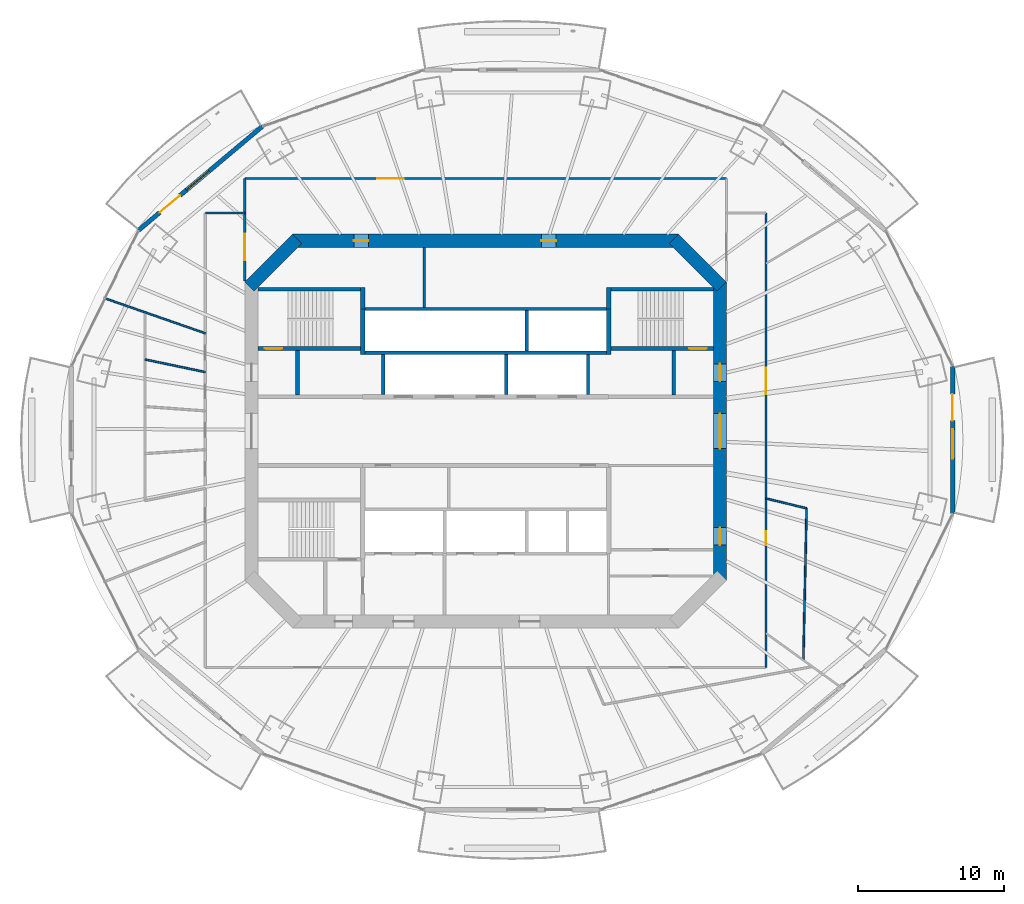
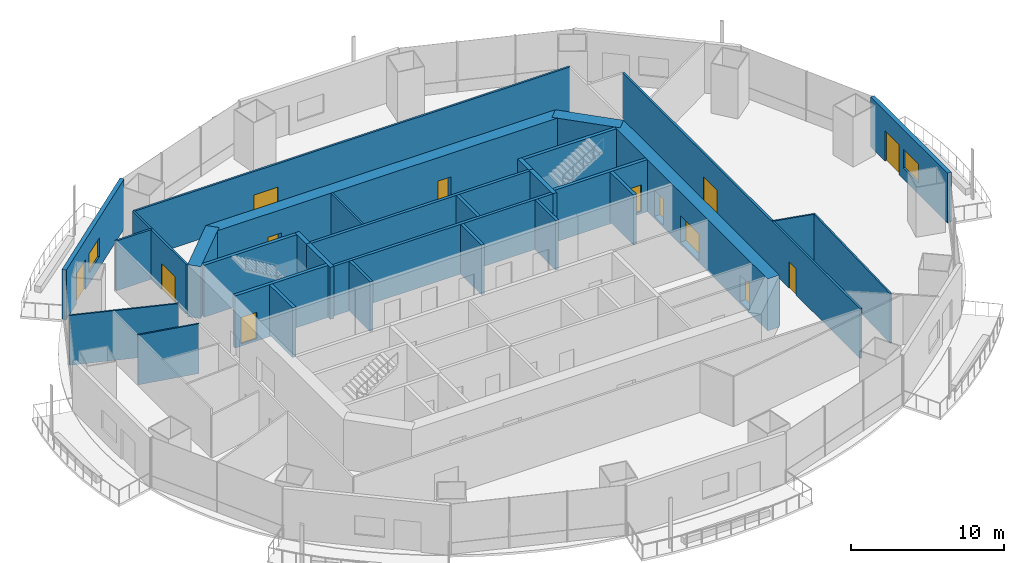
# One storey, part 12 of 19: 31 walls, 13 doors, 2 windows, 15 openings.
"""IFC4 building model written with IfcOpenShell, lengths in metres."""

from ifc_helpers import new_model, si_unit, direction, frame, frame_2d, origin, place, context, subcontext, project, spatial, rectangle, extrude, material, layer, layer_set, type_object, element, fill, save


model = new_model("IFC4")

# Units and contexts
model_context = context("Model", 3, precision=1e-05, world=origin(), true_north=direction((0.0, 1.0)))
body_context = subcontext(model_context, "Body", "Model", "MODEL_VIEW")
ifc_project = project(units=[si_unit("LENGTHUNIT", "METRE"), si_unit("AREAUNIT", "SQUARE_METRE"), si_unit("VOLUMEUNIT", "CUBIC_METRE"), si_unit("PLANEANGLEUNIT", "RADIAN"), si_unit("MASSUNIT", "GRAM", prefix="KILO")], contexts=[model_context])

# Site, building, storey
site_placement = place(None, origin())
site = spatial("IfcSite", under=ifc_project, at=site_placement, CompositionType="ELEMENT")
building_placement = place(site_placement, origin())
building = spatial("IfcBuilding", under=site, at=building_placement, Name="Marenthal Gate Tower", CompositionType="ELEMENT")
storey_placement = place(building_placement, frame((0.0, 0.0, 231.60009765625)))
storey = spatial("IfcBuildingStorey", under=building, at=storey_placement, Name="L51", CompositionType="ELEMENT", Elevation=231.60009765625)

# Wall, openings, doors
ifc_material_1 = material(Name="Concrete 60 MPa", Category="concrete")
ifc_layer_1 = layer(ifc_material_1, 0.89990234375)
ifc_layer_set_1 = layer_set([ifc_layer_1], Name="Core shear wall 900")
wall_type_1 = type_object("IfcWallType", Name="Core shear wall 900", PredefinedType="SHEAR", material=ifc_layer_set_1)
wall_1_placement = place(storey_placement, frame((16.0, -10.186279296875, -0.18017578125), z_axis=(0.0, 0.0, 1.0), x_axis=(0.0, 1.0, 0.0)))
wall_1 = element("IfcWall", 1, at=wall_1_placement, inside=storey, type_object=wall_type_1, Name="Core wall 02", PredefinedType="SHEAR", context=body_context, shape_type="SweptSolid", body=[
    extrude(rectangle(XDim=20.37255859375, YDim=0.89990234375, at=frame_2d((10.186279296875, 0.0))), origin(), (0.0, 0.0, 1.0), 4.150146484375),
])
opening_1_placement = place(wall_1_placement, frame((8.986328125, 0.0, 0.179931640625)))
opening_1 = element("IfcOpeningElement", 2, at=opening_1_placement, cuts=wall_1, Name="Opening D003.02", PredefinedType="OPENING", context=body_context, shape_type="SweptSolid", body=[
    extrude(rectangle(XDim=2.39990234375, YDim=2.10009765625, at=frame_2d((1.199951171875, 1.050048828125))), frame((0.0, 0.4599609375, 0.0), z_axis=(0.0, -1.0, 0.0), x_axis=(1.0, 0.0, 0.0)), (0.0, 0.0, 1.0), 0.919921875),
])
opening_2_placement = place(wall_1_placement, frame((13.58642578125, 0.0, 0.179931640625)))
opening_2 = element("IfcOpeningElement", 3, at=opening_2_placement, cuts=wall_1, Name="Opening D001.05", PredefinedType="OPENING", context=body_context, shape_type="SweptSolid", body=[
    extrude(rectangle(XDim=1.199951171875, YDim=2.10009765625, at=frame_2d((0.60009765625, 1.050048828125))), frame((0.0, 0.4599609375, 0.0), z_axis=(0.0, -1.0, 0.0), x_axis=(1.0, 0.0, 0.0)), (0.0, 0.0, 1.0), 0.919921875),
])
opening_3_placement = place(wall_1_placement, frame((2.39990234375, 0.0, 0.179931640625)))
opening_3 = element("IfcOpeningElement", 4, at=opening_3_placement, cuts=wall_1, Name="Opening D006.01", PredefinedType="OPENING", context=body_context, shape_type="SweptSolid", body=[
    extrude(rectangle(XDim=1.199951171875, YDim=2.10009765625, at=frame_2d((0.60009765625, 1.050048828125))), frame((0.0, 0.4599609375, 0.0), z_axis=(0.0, -1.0, 0.0), x_axis=(1.0, 0.0, 0.0)), (0.0, 0.0, 1.0), 0.919921875),
])
ifc_material_2 = material(Name="Steel fire door", Category="steel")
door_type_1 = type_object("IfcDoorType", Name="Double fire door FD 45 2400 x 2100", OperationType="DOUBLE_DOOR_SINGLE_SWING", PredefinedType="DOOR", material=ifc_material_2)
door_1_placement = place(opening_1_placement, origin())
door_1 = element("IfcDoor", 5, at=door_1_placement, inside=storey, type_object=door_type_1, Name="Door D003.02", OperationType="DOUBLE_DOOR_SINGLE_SWING", OverallHeight=2.10009765625, OverallWidth=2.39990234375, PredefinedType="DOOR", context=body_context, shape_type="SweptSolid", body=[
    extrude(rectangle(XDim=2.39990234375, YDim=2.10009765625, at=frame_2d((1.199951171875, 1.050048828125))), frame((0.0, 0.02490234375, 0.0), z_axis=(0.0, -1.0, 0.0), x_axis=(1.0, 0.0, 0.0)), (0.0, 0.0, 1.0), 0.050048828125),
])
fill(opening_1, door_1)
ifc_material_3 = material(Name="Steel fire door", Category="steel")
door_type_2 = type_object("IfcDoorType", Name="Fire door FD 45 1200 x 2100", OperationType="NOTDEFINED", PredefinedType="DOOR", material=ifc_material_3)
door_2_placement = place(opening_3_placement, origin())
door_2 = element("IfcDoor", 6, at=door_2_placement, inside=storey, type_object=door_type_2, Name="Door D006.01", OperationType="SINGLE_SWING_RIGHT", OverallHeight=2.10009765625, OverallWidth=1.199951171875, PredefinedType="DOOR", context=body_context, shape_type="SweptSolid", body=[
    extrude(rectangle(XDim=1.199951171875, YDim=2.10009765625, at=frame_2d((0.60009765625, 1.050048828125))), frame((0.0, 0.02490234375, 0.0), z_axis=(0.0, -1.0, 0.0), x_axis=(1.0, 0.0, 0.0)), (0.0, 0.0, 1.0), 0.050048828125),
])
fill(opening_3, door_2)
ifc_material_4 = material(Name="Steel fire door", Category="steel")
door_type_3 = type_object("IfcDoorType", Name="Fire door FD 90 1200 x 2100", OperationType="NOTDEFINED", PredefinedType="DOOR", material=ifc_material_4)
door_3_placement = place(opening_2_placement, origin())
door_3 = element("IfcDoor", 7, at=door_3_placement, inside=storey, type_object=door_type_3, Name="Door D001.05", OperationType="SINGLE_SWING_RIGHT", OverallHeight=2.10009765625, OverallWidth=1.199951171875, PredefinedType="DOOR", context=body_context, shape_type="SweptSolid", body=[
    extrude(rectangle(XDim=1.199951171875, YDim=2.10009765625, at=frame_2d((0.60009765625, 1.050048828125))), frame((0.0, 0.02490234375, 0.0), z_axis=(0.0, -1.0, 0.0), x_axis=(1.0, 0.0, 0.0)), (0.0, 0.0, 1.0), 0.050048828125),
])
fill(opening_2, door_3)

# Wall
wall_2_placement = place(storey_placement, frame((16.1318359375, 9.8681640625, -0.18017578125), z_axis=(0.0, 0.0, 1.0), x_axis=(-0.707106781187, 0.707106781187, 0.0)))
element("IfcWall", 8, at=wall_2_placement, inside=storey, type_object=wall_type_1, Name="Core wall 03", PredefinedType="SHEAR", context=body_context, shape_type="SweptSolid", body=[
    extrude(rectangle(XDim=4.615478515625, YDim=0.89990234375, at=frame_2d((2.3076171875, 0.0))), origin(), (0.0, 0.0, 1.0), 4.150146484375),
])

# Wall, openings, doors
wall_3_placement = place(storey_placement, frame((13.186279296875, 13.0, -0.18017578125), z_axis=(0.0, 0.0, 1.0), x_axis=(-1.0, 0.0, 0.0)))
wall_3 = element("IfcWall", 9, at=wall_3_placement, inside=storey, type_object=wall_type_1, Name="Core wall 04", PredefinedType="SHEAR", context=body_context, shape_type="SweptSolid", body=[
    extrude(rectangle(XDim=26.37255859375, YDim=0.89990234375, at=frame_2d((13.186279296875, 0.0))), origin(), (0.0, 0.0, 1.0), 4.150146484375),
])
opening_4_placement = place(wall_3_placement, frame((21.193359375, 0.0, 0.179931640625)))
opening_4 = element("IfcOpeningElement", 10, at=opening_4_placement, cuts=wall_3, Name="Opening D005.03", PredefinedType="OPENING", context=body_context, shape_type="SweptSolid", body=[
    extrude(rectangle(XDim=1.0, YDim=2.10009765625, at=frame_2d((0.5, 1.050048828125))), frame((0.0, 0.4599609375, 0.0), z_axis=(0.0, -1.0, 0.0), x_axis=(1.0, 0.0, 0.0)), (0.0, 0.0, 1.0), 0.919921875),
])
opening_5_placement = place(wall_3_placement, frame((8.37939453125, 0.0, 0.179931640625)))
opening_5 = element("IfcOpeningElement", 11, at=opening_5_placement, cuts=wall_3, Name="Opening D005.04", PredefinedType="OPENING", context=body_context, shape_type="SweptSolid", body=[
    extrude(rectangle(XDim=1.0, YDim=2.10009765625, at=frame_2d((0.5, 1.050048828125))), frame((0.0, 0.4599609375, 0.0), z_axis=(0.0, -1.0, 0.0), x_axis=(1.0, 0.0, 0.0)), (0.0, 0.0, 1.0), 0.919921875),
])
ifc_material_5 = material(Name="Steel fire door", Category="steel")
door_type_4 = type_object("IfcDoorType", Name="Fire door FD 45 1000 x 2100", OperationType="NOTDEFINED", PredefinedType="DOOR", material=ifc_material_5)
door_4_placement = place(opening_4_placement, origin())
door_4 = element("IfcDoor", 12, at=door_4_placement, inside=storey, type_object=door_type_4, Name="Door D005.03", OperationType="SINGLE_SWING_RIGHT", OverallHeight=2.10009765625, OverallWidth=1.0, PredefinedType="DOOR", context=body_context, shape_type="SweptSolid", body=[
    extrude(rectangle(XDim=1.0, YDim=2.10009765625, at=frame_2d((0.5, 1.050048828125))), frame((0.0, 0.02490234375, 0.0), z_axis=(0.0, -1.0, 0.0), x_axis=(1.0, 0.0, 0.0)), (0.0, 0.0, 1.0), 0.050048828125),
])
fill(opening_4, door_4)
door_5_placement = place(opening_5_placement, origin())
door_5 = element("IfcDoor", 13, at=door_5_placement, inside=storey, type_object=door_type_4, Name="Door D005.04", OperationType="SINGLE_SWING_RIGHT", OverallHeight=2.10009765625, OverallWidth=1.0, PredefinedType="DOOR", context=body_context, shape_type="SweptSolid", body=[
    extrude(rectangle(XDim=1.0, YDim=2.10009765625, at=frame_2d((0.5, 1.050048828125))), frame((0.0, 0.02490234375, 0.0), z_axis=(0.0, -1.0, 0.0), x_axis=(1.0, 0.0, 0.0)), (0.0, 0.0, 1.0), 0.050048828125),
])
fill(opening_5, door_5)

# Walls
wall_4_placement = place(storey_placement, frame((-12.8681640625, 13.1318359375, -0.18017578125), z_axis=(0.0, 0.0, 1.0), x_axis=(-0.707106781187, -0.707106781187, 0.0)))
element("IfcWall", 14, at=wall_4_placement, inside=storey, type_object=wall_type_1, Name="Core wall 05", PredefinedType="SHEAR", context=body_context, shape_type="SweptSolid", body=[
    extrude(rectangle(XDim=4.615478515625, YDim=0.89990234375, at=frame_2d((2.3076171875, 0.0))), origin(), (0.0, 0.0, 1.0), 4.150146484375),
])
ifc_material_6 = material(Name="Concrete 50 MPa", Category="concrete")
ifc_layer_2 = layer(ifc_material_6, 0.300048828125)
ifc_layer_set_2 = layer_set([ifc_layer_2], Name="Hoistway shear wall 300")
wall_type_2 = type_object("IfcWallType", Name="Hoistway shear wall 300", PredefinedType="SHEAR", material=ifc_layer_set_2)
for number, where, z_axis, x_axis, name in (
    (15, (-8.39990234375, 5.239990234375, -0.18017578125), (0.0, 0.0, 1.0), (0.0, 1.0, 0.0), "Hoistway wall 32"),
    (16, (8.39990234375, 5.239990234375, -0.18017578125), (0.0, 0.0, 1.0), (0.0, 1.0, 0.0), "Hoistway wall 46"),
):
    element("IfcWall", number, at=place(storey_placement, frame(where, z_axis=z_axis, x_axis=x_axis)), inside=storey, type_object=wall_type_2, Name=name, PredefinedType="SHEAR", context=body_context, shape_type="SweptSolid", body=[
        extrude(rectangle(XDim=3.110107421875, YDim=0.300048828125, at=frame_2d((1.55517578125, 0.0))), origin(), (0.0, 0.0, 1.0), 4.150146484375),
    ])
ifc_material_7 = material(Name="Concrete 40 MPa", Category="concrete")
ifc_layer_3 = layer(ifc_material_7, 0.219970703125)
ifc_layer_set_3 = layer_set([ifc_layer_3], Name="Hoistway wall 220")
wall_type_3 = type_object("IfcWallType", Name="Hoistway wall 220", PredefinedType="STANDARD", material=ifc_layer_set_3)
for number, where, z_axis, x_axis, name in (
    (17, (-8.25, 5.35009765625, 0.0), (0.0, 0.0, 1.0), (1.0, 0.0, 0.0), "Hoistway wall 22"),
    (18, (-8.25, 8.35009765625, 0.0), (0.0, 0.0, 1.0), (1.0, 0.0, 0.0), "Hoistway wall 25"),
):
    element("IfcWall", number, at=place(storey_placement, frame(where, z_axis=z_axis, x_axis=x_axis)), inside=storey, type_object=wall_type_3, Name=name, PredefinedType="STANDARD", context=body_context, shape_type="SweptSolid", body=[
        extrude(rectangle(XDim=16.5, YDim=0.219970703125, at=frame_2d((8.25, 0.0))), origin(), (0.0, 0.0, 1.0), 3.969970703125),
    ])
for number, where, z_axis, x_axis, name in (
    (19, (-7.0, 2.5, 0.0), (0.0, 0.0, 1.0), (0.0, 1.0, 0.0), "Hoistway wall 34"),
    (20, (1.39990234375, 2.5, 0.0), (0.0, 0.0, 1.0), (0.0, 1.0, 0.0), "Hoistway wall 39"),
):
    element("IfcWall", number, at=place(storey_placement, frame(where, z_axis=z_axis, x_axis=x_axis)), inside=storey, type_object=wall_type_3, Name=name, PredefinedType="STANDARD", context=body_context, shape_type="SweptSolid", body=[
        extrude(rectangle(XDim=2.739990234375, YDim=0.219970703125, at=frame_2d((1.3701171875, 0.0))), origin(), (0.0, 0.0, 1.0), 3.969970703125),
    ])
wall_5_placement = place(storey_placement, frame((2.800048828125, 5.4599609375, 0.0), z_axis=(0.0, 0.0, 1.0), x_axis=(0.0, 1.0, 0.0)))
element("IfcWall", 21, at=wall_5_placement, inside=storey, type_object=wall_type_3, Name="Hoistway wall 41", PredefinedType="STANDARD", context=body_context, shape_type="SweptSolid", body=[
    extrude(rectangle(XDim=2.780029296875, YDim=0.219970703125, at=frame_2d((1.39013671875, 0.0))), origin(), (0.0, 0.0, 1.0), 3.969970703125),
])
wall_6_placement = place(storey_placement, frame((7.0, 2.5, 0.0), z_axis=(0.0, 0.0, 1.0), x_axis=(0.0, 1.0, 0.0)))
element("IfcWall", 22, at=wall_6_placement, inside=storey, type_object=wall_type_3, Name="Hoistway wall 43", PredefinedType="STANDARD", context=body_context, shape_type="SweptSolid", body=[
    extrude(rectangle(XDim=2.739990234375, YDim=0.219970703125, at=frame_2d((1.3701171875, 0.0))), origin(), (0.0, 0.0, 1.0), 3.969970703125),
])
ifc_material_8 = material(Name="Gypsum board on steel studs", Category="steel")
ifc_layer_4 = layer(ifc_material_8, 0.1201171875)
ifc_layer_set_4 = layer_set([ifc_layer_4], Name="Partition 120")
wall_type_4 = type_object("IfcWallType", Name="Partition 120", PredefinedType="PARTITIONING", material=ifc_layer_set_4)
wall_7_placement = place(storey_placement, frame((-23.264404296875, 4.8974609375, 0.0), z_axis=(0.0, 0.0, 1.0), x_axis=(0.978549784987, -0.20601048105, 0.0)))
element("IfcWall", 23, at=wall_7_placement, inside=storey, type_object=wall_type_4, Name="Partition wall 52", PredefinedType="PARTITIONING", context=body_context, shape_type="SweptSolid", body=[
    extrude(rectangle(XDim=4.20458984375, YDim=0.1201171875, at=frame_2d((2.102294921875, 0.0))), origin(), (0.0, 0.0, 1.0), 3.969970703125),
])
wall_8_placement = place(storey_placement, frame((-19.14990234375, 6.678955078125, 0.0), z_axis=(0.0, 0.0, 1.0), x_axis=(-0.944229354423, 0.329288515205, 0.0)))
element("IfcWall", 24, at=wall_8_placement, inside=storey, type_object=wall_type_4, Name="Partition wall 56", PredefinedType="PARTITIONING", context=body_context, shape_type="SweptSolid", body=[
    extrude(rectangle(XDim=7.26220703125, YDim=0.1201171875, at=frame_2d((3.631103515625, 0.0))), origin(), (0.0, 0.0, 1.0), 3.969970703125),
])
wall_9_placement = place(storey_placement, frame((21.701416015625, -15.646728515625, 0.0), z_axis=(0.0, 0.0, 1.0), x_axis=(0.021402327954, 0.999770943946, 0.0)))
element("IfcWall", 25, at=wall_9_placement, inside=storey, type_object=wall_type_4, Name="Partition wall 68", PredefinedType="PARTITIONING", context=body_context, shape_type="SweptSolid", body=[
    extrude(rectangle(XDim=10.380615234375, YDim=0.1201171875, at=frame_2d((5.1904296875, 0.0))), origin(), (0.0, 0.0, 1.0), 3.969970703125),
])
wall_10_placement = place(storey_placement, frame((21.923583984375, -5.2685546875, 0.0), z_axis=(0.0, 0.0, 1.0), x_axis=(-0.972322007638, 0.233644844719, 0.0)))
element("IfcWall", 26, at=wall_10_placement, inside=storey, type_object=wall_type_4, Name="Partition wall 69", PredefinedType="PARTITIONING", context=body_context, shape_type="SweptSolid", body=[
    extrude(rectangle(XDim=2.8525390625, YDim=0.1201171875, at=frame_2d((1.42626953125, 0.0))), origin(), (0.0, 0.0, 1.0), 3.969970703125),
])
ifc_material_9 = material(Name="Gypsum board on steel studs", Category="steel")
ifc_layer_5 = layer(ifc_material_9, 0.14990234375)
ifc_layer_set_5 = layer_set([ifc_layer_5], Name="Partition 150")
wall_type_5 = type_object("IfcWallType", Name="Partition 150", PredefinedType="PARTITIONING", material=ifc_layer_set_5)
wall_11_placement = place(storey_placement, frame((-4.199951171875, 8.4599609375, 0.0), z_axis=(0.0, 0.0, 1.0), x_axis=(0.0, 1.0, 0.0)))
element("IfcWall", 27, at=wall_11_placement, inside=storey, type_object=wall_type_5, Name="Partition wall 35", PredefinedType="PARTITIONING", context=body_context, shape_type="SweptSolid", body=[
    extrude(rectangle(XDim=4.090087890625, YDim=0.14990234375, at=frame_2d((2.044921875, 0.0))), origin(), (0.0, 0.0, 1.0), 3.969970703125),
])
wall_12_placement = place(storey_placement, frame((-19.14990234375, 14.89990234375, 0.0), z_axis=(0.0, 0.0, 1.0), x_axis=(1.0, 0.0, 0.0)))
element("IfcWall", 28, at=wall_12_placement, inside=storey, type_object=wall_type_5, Name="Partition wall 57", PredefinedType="PARTITIONING", context=body_context, shape_type="SweptSolid", body=[
    extrude(rectangle(XDim=2.699951171875, YDim=0.14990234375, at=frame_2d((1.35009765625, 0.0))), origin(), (0.0, 0.0, 1.0), 3.969970703125),
])

# Wall, opening, door
wall_13_placement = place(storey_placement, frame((-16.449951171875, 10.25, 0.0), z_axis=(0.0, 0.0, 1.0), x_axis=(0.0, 1.0, 0.0)))
wall_13 = element("IfcWall", 29, at=wall_13_placement, inside=storey, type_object=wall_type_5, Name="Partition wall 58", PredefinedType="PARTITIONING", context=body_context, shape_type="SweptSolid", body=[
    extrude(rectangle(XDim=7.010986328125, YDim=0.14990234375, at=frame_2d((3.50537109375, 0.0))), origin(), (0.0, 0.0, 1.0), 3.969970703125),
])
opening_6_placement = place(wall_13_placement, frame((1.425048828125, 0.0, 0.0)))
opening_6 = element("IfcOpeningElement", 30, at=opening_6_placement, cuts=wall_13, Name="Opening D014.04", PredefinedType="OPENING", context=body_context, shape_type="SweptSolid", body=[
    extrude(rectangle(XDim=1.800048828125, YDim=2.10009765625, at=frame_2d((0.89990234375, 1.050048828125))), frame((0.0, 0.0849609375, 0.0), z_axis=(0.0, -1.0, 0.0), x_axis=(1.0, 0.0, 0.0)), (0.0, 0.0, 1.0), 0.169921875),
])
ifc_material_10 = material(Name="Timber door", Category="wood")
door_type_5 = type_object("IfcDoorType", Name="Double door 1800 x 2100", OperationType="DOUBLE_DOOR_SINGLE_SWING", PredefinedType="DOOR", material=ifc_material_10)
door_6_placement = place(opening_6_placement, origin())
door_6 = element("IfcDoor", 31, at=door_6_placement, inside=storey, type_object=door_type_5, Name="Door D014.04", OperationType="DOUBLE_DOOR_SINGLE_SWING", OverallHeight=2.10009765625, OverallWidth=1.800048828125, PredefinedType="DOOR", context=body_context, shape_type="SweptSolid", body=[
    extrude(rectangle(XDim=1.800048828125, YDim=2.10009765625, at=frame_2d((0.89990234375, 1.050048828125))), frame((0.0, 0.02490234375, 0.0), z_axis=(0.0, -1.0, 0.0), x_axis=(1.0, 0.0, 0.0)), (0.0, 0.0, 1.0), 0.050048828125),
])
fill(opening_6, door_6)

wall_14_placement = place(storey_placement, frame((-16.449951171875, 17.260986328125, 0.0), z_axis=(0.0, 0.0, 1.0), x_axis=(1.0, 0.0, 0.0)))
wall_14 = element("IfcWall", 32, at=wall_14_placement, inside=storey, type_object=wall_type_5, Name="Partition wall 59", PredefinedType="PARTITIONING", context=body_context, shape_type="SweptSolid", body=[
    extrude(rectangle(XDim=32.89990234375, YDim=0.14990234375, at=frame_2d((16.449951171875, 0.0))), origin(), (0.0, 0.0, 1.0), 3.969970703125),
])
opening_7_placement = place(wall_14_placement, frame((9.056884765625, 0.0, 0.0)))
opening_7 = element("IfcOpeningElement", 33, at=opening_7_placement, cuts=wall_14, Name="Opening D014.01", PredefinedType="OPENING", context=body_context, shape_type="SweptSolid", body=[
    extrude(rectangle(XDim=1.800048828125, YDim=2.10009765625, at=frame_2d((0.89990234375, 1.050048828125))), frame((0.0, 0.0849609375, 0.0), z_axis=(0.0, -1.0, 0.0), x_axis=(1.0, 0.0, 0.0)), (0.0, 0.0, 1.0), 0.169921875),
])
door_7_placement = place(opening_7_placement, origin())
door_7 = element("IfcDoor", 34, at=door_7_placement, inside=storey, type_object=door_type_5, Name="Door D014.01", OperationType="DOUBLE_DOOR_SINGLE_SWING", OverallHeight=2.10009765625, OverallWidth=1.800048828125, PredefinedType="DOOR", context=body_context, shape_type="SweptSolid", body=[
    extrude(rectangle(XDim=1.800048828125, YDim=2.10009765625, at=frame_2d((0.89990234375, 1.050048828125))), frame((0.0, 0.02490234375, 0.0), z_axis=(0.0, -1.0, 0.0), x_axis=(1.0, 0.0, 0.0)), (0.0, 0.0, 1.0), 0.050048828125),
])
fill(opening_7, door_7)

# Wall, openings, doors
wall_15_placement = place(storey_placement, frame((19.14990234375, 14.89990234375, 0.0), z_axis=(0.0, 0.0, 1.0), x_axis=(0.0, -1.0, 0.0)))
wall_15 = element("IfcWall", 35, at=wall_15_placement, inside=storey, type_object=wall_type_5, Name="Partition wall 67", PredefinedType="PARTITIONING", context=body_context, shape_type="SweptSolid", body=[
    extrude(rectangle(XDim=31.0498046875, YDim=0.14990234375, at=frame_2d((15.52490234375, 0.0))), origin(), (0.0, 0.0, 1.0), 3.969970703125),
])
opening_8_placement = place(wall_15_placement, frame((21.7509765625, 0.0, 0.0)))
opening_8 = element("IfcOpeningElement", 36, at=opening_8_placement, cuts=wall_15, Name="Opening D016.07", PredefinedType="OPENING", context=body_context, shape_type="SweptSolid", body=[
    extrude(rectangle(XDim=0.949951171875, YDim=2.10009765625, at=frame_2d((0.47509765625, 1.050048828125))), frame((0.0, 0.0849609375, 0.0), z_axis=(0.0, -1.0, 0.0), x_axis=(1.0, 0.0, 0.0)), (0.0, 0.0, 1.0), 0.169921875),
])
opening_9_placement = place(wall_15_placement, frame((10.575927734375, 0.0, 0.0)))
opening_9 = element("IfcOpeningElement", 37, at=opening_9_placement, cuts=wall_15, Name="Opening D014.03", PredefinedType="OPENING", context=body_context, shape_type="SweptSolid", body=[
    extrude(rectangle(XDim=1.800048828125, YDim=2.10009765625, at=frame_2d((0.89990234375, 1.050048828125))), frame((0.0, 0.0849609375, 0.0), z_axis=(0.0, -1.0, 0.0), x_axis=(1.0, 0.0, 0.0)), (0.0, 0.0, 1.0), 0.169921875),
])
ifc_material_11 = material(Name="Timber door", Category="wood")
door_type_6 = type_object("IfcDoorType", Name="Door 950 x 2100", OperationType="NOTDEFINED", PredefinedType="DOOR", material=ifc_material_11)
door_8_placement = place(opening_8_placement, origin())
door_8 = element("IfcDoor", 38, at=door_8_placement, inside=storey, type_object=door_type_6, Name="Door D016.07", OperationType="SINGLE_SWING_RIGHT", OverallHeight=2.10009765625, OverallWidth=0.949951171875, PredefinedType="DOOR", context=body_context, shape_type="SweptSolid", body=[
    extrude(rectangle(XDim=0.949951171875, YDim=2.10009765625, at=frame_2d((0.47509765625, 1.050048828125))), frame((0.0, 0.02490234375, 0.0), z_axis=(0.0, -1.0, 0.0), x_axis=(1.0, 0.0, 0.0)), (0.0, 0.0, 1.0), 0.050048828125),
])
fill(opening_8, door_8)
door_9_placement = place(opening_9_placement, origin())
door_9 = element("IfcDoor", 39, at=door_9_placement, inside=storey, type_object=door_type_5, Name="Door D014.03", OperationType="DOUBLE_DOOR_SINGLE_SWING", OverallHeight=2.10009765625, OverallWidth=1.800048828125, PredefinedType="DOOR", context=body_context, shape_type="SweptSolid", body=[
    extrude(rectangle(XDim=1.800048828125, YDim=2.10009765625, at=frame_2d((0.89990234375, 1.050048828125))), frame((0.0, 0.02490234375, 0.0), z_axis=(0.0, -1.0, 0.0), x_axis=(1.0, 0.0, 0.0)), (0.0, 0.0, 1.0), 0.050048828125),
])
fill(opening_9, door_9)

# Walls
ifc_material_12 = material(Name="Concrete 40 MPa", Category="concrete")
ifc_layer_6 = layer(ifc_material_12, 0.25)
ifc_layer_set_6 = layer_set([ifc_layer_6], Name="Stair enclosure wall 250")
wall_type_6 = type_object("IfcWallType", Name="Stair enclosure wall 250", PredefinedType="STANDARD", material=ifc_layer_set_6)
for number, where, z_axis, x_axis, name in (
    (40, (-12.85009765625, 2.47509765625, 0.0), (0.0, 0.0, 1.0), (0.0, 1.0, 0.0), "Stair wall 28"),
    (41, (12.85009765625, 2.47509765625, 0.0), (0.0, 0.0, 1.0), (0.0, 1.0, 0.0), "Stair wall 48"),
):
    element("IfcWall", number, at=place(storey_placement, frame(where, z_axis=z_axis, x_axis=x_axis)), inside=storey, type_object=wall_type_6, Name=name, PredefinedType="STANDARD", context=body_context, shape_type="SweptSolid", body=[
        extrude(rectangle(XDim=3.0498046875, YDim=0.25, at=frame_2d((1.52490234375, 0.0))), origin(), (0.0, 0.0, 1.0), 3.969970703125),
    ])

# Wall, opening, door
ifc_material_13 = material(Name="Concrete 50 MPa", Category="concrete")
ifc_layer_7 = layer(ifc_material_13, 0.25)
ifc_layer_set_7 = layer_set([ifc_layer_7], Name="Stair shear wall 250")
wall_type_7 = type_object("IfcWallType", Name="Stair shear wall 250", PredefinedType="SHEAR", material=ifc_layer_set_7)
wall_16_placement = place(storey_placement, frame((-15.550048828125, 5.64990234375, -0.18017578125), z_axis=(0.0, 0.0, 1.0), x_axis=(1.0, 0.0, 0.0)))
wall_16 = element("IfcWall", 42, at=wall_16_placement, inside=storey, type_object=wall_type_7, Name="Stair wall 23", PredefinedType="SHEAR", context=body_context, shape_type="SweptSolid", body=[
    extrude(rectangle(XDim=7.0, YDim=0.25, at=frame_2d((3.5, 0.0))), origin(), (0.0, 0.0, 1.0), 4.150146484375),
])
opening_10_placement = place(wall_16_placement, frame((0.449951171875, 0.0, 0.179931640625)))
opening_10 = element("IfcOpeningElement", 43, at=opening_10_placement, cuts=wall_16, Name="Opening D001.01", PredefinedType="OPENING", context=body_context, shape_type="SweptSolid", body=[
    extrude(rectangle(XDim=1.199951171875, YDim=2.10009765625, at=frame_2d((0.60009765625, 1.050048828125))), frame((0.0, 0.135009765625, 0.0), z_axis=(0.0, -1.0, 0.0), x_axis=(1.0, 0.0, 0.0)), (0.0, 0.0, 1.0), 0.27001953125),
])
door_10_placement = place(opening_10_placement, origin())
door_10 = element("IfcDoor", 44, at=door_10_placement, inside=storey, type_object=door_type_3, Name="Door D001.01", OperationType="SINGLE_SWING_RIGHT", OverallHeight=2.10009765625, OverallWidth=1.199951171875, PredefinedType="DOOR", context=body_context, shape_type="SweptSolid", body=[
    extrude(rectangle(XDim=1.199951171875, YDim=2.10009765625, at=frame_2d((0.60009765625, 1.050048828125))), frame((0.0, 0.02490234375, 0.0), z_axis=(0.0, -1.0, 0.0), x_axis=(1.0, 0.0, 0.0)), (0.0, 0.0, 1.0), 0.050048828125),
])
fill(opening_10, door_10)

wall_17_placement = place(storey_placement, frame((8.550048828125, 5.64990234375, -0.18017578125), z_axis=(0.0, 0.0, 1.0), x_axis=(1.0, 0.0, 0.0)))
wall_17 = element("IfcWall", 45, at=wall_17_placement, inside=storey, type_object=wall_type_7, Name="Stair wall 24", PredefinedType="SHEAR", context=body_context, shape_type="SweptSolid", body=[
    extrude(rectangle(XDim=7.0, YDim=0.25, at=frame_2d((3.5, 0.0))), origin(), (0.0, 0.0, 1.0), 4.150146484375),
])
opening_11_placement = place(wall_17_placement, frame((5.35009765625, 0.0, 0.179931640625)))
opening_11 = element("IfcOpeningElement", 46, at=opening_11_placement, cuts=wall_17, Name="Opening D001.02", PredefinedType="OPENING", context=body_context, shape_type="SweptSolid", body=[
    extrude(rectangle(XDim=1.199951171875, YDim=2.10009765625, at=frame_2d((0.60009765625, 1.050048828125))), frame((0.0, 0.135009765625, 0.0), z_axis=(0.0, -1.0, 0.0), x_axis=(1.0, 0.0, 0.0)), (0.0, 0.0, 1.0), 0.27001953125),
])
door_11_placement = place(opening_11_placement, origin())
door_11 = element("IfcDoor", 47, at=door_11_placement, inside=storey, type_object=door_type_3, Name="Door D001.02", OperationType="SINGLE_SWING_RIGHT", OverallHeight=2.10009765625, OverallWidth=1.199951171875, PredefinedType="DOOR", context=body_context, shape_type="SweptSolid", body=[
    extrude(rectangle(XDim=1.199951171875, YDim=2.10009765625, at=frame_2d((0.60009765625, 1.050048828125))), frame((0.0, 0.02490234375, 0.0), z_axis=(0.0, -1.0, 0.0), x_axis=(1.0, 0.0, 0.0)), (0.0, 0.0, 1.0), 0.050048828125),
])
fill(opening_11, door_11)

# Walls
for number, where, z_axis, x_axis, name in (
    (48, (-15.550048828125, 9.699951171875, -0.18017578125), (0.0, 0.0, 1.0), (1.0, 0.0, 0.0), "Stair wall 26"),
    (49, (8.550048828125, 9.699951171875, -0.18017578125), (0.0, 0.0, 1.0), (1.0, 0.0, 0.0), "Stair wall 27"),
):
    element("IfcWall", number, at=place(storey_placement, frame(where, z_axis=z_axis, x_axis=x_axis)), inside=storey, type_object=wall_type_7, Name=name, PredefinedType="SHEAR", context=body_context, shape_type="SweptSolid", body=[
        extrude(rectangle(XDim=7.0, YDim=0.25, at=frame_2d((3.5, 0.0))), origin(), (0.0, 0.0, 1.0), 4.150146484375),
    ])
ifc_material_14 = material(Name="Concrete 50 MPa", Category="concrete")
ifc_layer_8 = layer(ifc_material_14, 0.300048828125)
ifc_layer_set_8 = layer_set([ifc_layer_8], Name="Stair shear wall 300")
wall_type_8 = type_object("IfcWallType", Name="Stair shear wall 300", PredefinedType="SHEAR", material=ifc_layer_set_8)
for number, where, z_axis, x_axis, name in (
    (50, (-8.39990234375, 8.35009765625, -0.18017578125), (0.0, 0.0, 1.0), (0.0, 1.0, 0.0), "Stair wall 33"),
    (51, (8.39990234375, 8.35009765625, -0.18017578125), (0.0, 0.0, 1.0), (0.0, 1.0, 0.0), "Stair wall 47"),
):
    element("IfcWall", number, at=place(storey_placement, frame(where, z_axis=z_axis, x_axis=x_axis)), inside=storey, type_object=wall_type_8, Name=name, PredefinedType="SHEAR", context=body_context, shape_type="SweptSolid", body=[
        extrude(rectangle(XDim=1.474853515625, YDim=0.300048828125, at=frame_2d((0.7373046875, 0.0))), origin(), (0.0, 0.0, 1.0), 4.150146484375),
    ])

# Wall, openings, door, window
ifc_material_15 = material(Name="Terracotta cladding on insulated concrete-block backing", Category="masonry")
ifc_layer_9 = layer(ifc_material_15, 0.300048828125)
ifc_layer_set_9 = layer_set([ifc_layer_9], Name="Terracotta facade wall 300")
wall_type_9 = type_object("IfcWallType", Name="Terracotta facade wall 300", PredefinedType="SOLIDWALL", material=ifc_layer_set_9)
wall_18_placement = place(storey_placement, frame((-15.249267578125, 20.82275390625, 0.0), z_axis=(0.0, 0.0, 1.0), x_axis=(-0.765870158107, -0.642995257308, 0.0)))
wall_18 = element("IfcWall", 52, at=wall_18_placement, inside=storey, type_object=wall_type_9, Name="Terracotta facade wall L51 bay 6", PredefinedType="SOLIDWALL", context=body_context, shape_type="SweptSolid", body=[
    extrude(rectangle(XDim=11.05517578125, YDim=0.300048828125, at=frame_2d((5.527587890625, 0.0))), origin(), (0.0, 0.0, 1.0), 3.969970703125),
])
opening_12_placement = place(wall_18_placement, frame((7.355224609375, 0.0, 0.0)))
opening_12 = element("IfcOpeningElement", 53, at=opening_12_placement, cuts=wall_18, Name="Opening BD-L51-06", PredefinedType="OPENING", context=body_context, shape_type="SweptSolid", body=[
    extrude(rectangle(XDim=1.800048828125, YDim=2.39990234375, at=frame_2d((0.89990234375, 1.199951171875))), frame((0.0, 0.16015625, 0.0), z_axis=(0.0, -1.0, 0.0), x_axis=(1.0, 0.0, 0.0)), (0.0, 0.0, 1.0), 0.320068359375),
])
opening_13_placement = place(wall_18_placement, frame((4.755126953125, 0.0, 0.89990234375)))
opening_13 = element("IfcOpeningElement", 54, at=opening_13_placement, cuts=wall_18, Name="Opening WN2-L51-06", PredefinedType="OPENING", context=body_context, shape_type="SweptSolid", body=[
    extrude(rectangle(XDim=2.0, YDim=1.5, at=frame_2d((1.0, 0.75))), frame((0.0, 0.16015625, 0.0), z_axis=(0.0, -1.0, 0.0), x_axis=(1.0, 0.0, 0.0)), (0.0, 0.0, 1.0), 0.320068359375),
])
ifc_material_16 = material(Name="Aluminium and glass", Category="aluminium")
door_type_7 = type_object("IfcDoorType", Name="Balcony door 1800x2400", OperationType="DOUBLE_DOOR_SINGLE_SWING", PredefinedType="DOOR", material=ifc_material_16)
door_12_placement = place(opening_12_placement, origin())
door_12 = element("IfcDoor", 55, at=door_12_placement, inside=storey, type_object=door_type_7, Name="Balcony door L51 bay 6", OperationType="SINGLE_SWING_LEFT", OverallHeight=2.39990234375, OverallWidth=1.800048828125, PredefinedType="DOOR", context=body_context, shape_type="SweptSolid", body=[
    extrude(rectangle(XDim=1.800048828125, YDim=2.39990234375, at=frame_2d((0.89990234375, 1.199951171875))), frame((0.0, 0.02490234375, 0.0), z_axis=(0.0, -1.0, 0.0), x_axis=(1.0, 0.0, 0.0)), (0.0, 0.0, 1.0), 0.050048828125),
])
fill(opening_12, door_12)
ifc_material_17 = material(Name="Aluminium and glass", Category="aluminium")
window_type = type_object("IfcWindowType", Name="Window 2000x1500", PartitioningType="DOUBLE_PANEL_VERTICAL", PredefinedType="WINDOW", material=ifc_material_17)
window_1_placement = place(opening_13_placement, origin())
window_1 = element("IfcWindow", 56, at=window_1_placement, inside=storey, type_object=window_type, Name="Window L51 bay 6", OverallHeight=1.5, OverallWidth=2.0, PartitioningType="SINGLE_PANEL", PredefinedType="WINDOW", context=body_context, shape_type="SweptSolid", body=[
    extrude(rectangle(XDim=2.0, YDim=1.5, at=frame_2d((1.0, 0.75))), frame((0.0, 0.030029296875, 0.0), z_axis=(0.0, -1.0, 0.0), x_axis=(1.0, 0.0, 0.0)), (0.0, 0.0, 1.0), 0.06005859375),
])
fill(opening_13, window_1)

wall_19_placement = place(storey_placement, frame((31.898193359375, -5.62646484375, 0.0), z_axis=(0.0, 0.0, 1.0), x_axis=(0.0, 1.0, 0.0)))
wall_19 = element("IfcWall", 57, at=wall_19_placement, inside=storey, type_object=wall_type_9, Name="Terracotta facade wall L51 bay 16", PredefinedType="SOLIDWALL", context=body_context, shape_type="SweptSolid", body=[
    extrude(rectangle(XDim=10.052978515625, YDim=0.300048828125, at=frame_2d((5.0263671875, 0.0))), origin(), (0.0, 0.0, 1.0), 3.969970703125),
])
opening_14_placement = place(wall_19_placement, frame((6.35302734375, 0.0, 0.0)))
opening_14 = element("IfcOpeningElement", 58, at=opening_14_placement, cuts=wall_19, Name="Opening BD-L51-16", PredefinedType="OPENING", context=body_context, shape_type="SweptSolid", body=[
    extrude(rectangle(XDim=1.800048828125, YDim=2.39990234375, at=frame_2d((0.89990234375, 1.199951171875))), frame((0.0, 0.16015625, 0.0), z_axis=(0.0, -1.0, 0.0), x_axis=(1.0, 0.0, 0.0)), (0.0, 0.0, 1.0), 0.320068359375),
])
opening_15_placement = place(wall_19_placement, frame((3.7529296875, 0.0, 0.89990234375)))
opening_15 = element("IfcOpeningElement", 59, at=opening_15_placement, cuts=wall_19, Name="Opening WN2-L51-16", PredefinedType="OPENING", context=body_context, shape_type="SweptSolid", body=[
    extrude(rectangle(XDim=2.0, YDim=1.5, at=frame_2d((1.0, 0.75))), frame((0.0, 0.16015625, 0.0), z_axis=(0.0, -1.0, 0.0), x_axis=(1.0, 0.0, 0.0)), (0.0, 0.0, 1.0), 0.320068359375),
])
door_13_placement = place(opening_14_placement, origin())
door_13 = element("IfcDoor", 60, at=door_13_placement, inside=storey, type_object=door_type_7, Name="Balcony door L51 bay 16", OperationType="SINGLE_SWING_LEFT", OverallHeight=2.39990234375, OverallWidth=1.800048828125, PredefinedType="DOOR", context=body_context, shape_type="SweptSolid", body=[
    extrude(rectangle(XDim=1.800048828125, YDim=2.39990234375, at=frame_2d((0.89990234375, 1.199951171875))), frame((0.0, 0.02490234375, 0.0), z_axis=(0.0, -1.0, 0.0), x_axis=(1.0, 0.0, 0.0)), (0.0, 0.0, 1.0), 0.050048828125),
])
fill(opening_14, door_13)
window_2_placement = place(opening_15_placement, origin())
window_2 = element("IfcWindow", 61, at=window_2_placement, inside=storey, type_object=window_type, Name="Window L51 bay 16", OverallHeight=1.5, OverallWidth=2.0, PartitioningType="SINGLE_PANEL", PredefinedType="WINDOW", context=body_context, shape_type="SweptSolid", body=[
    extrude(rectangle(XDim=2.0, YDim=1.5, at=frame_2d((1.0, 0.75))), frame((0.0, 0.030029296875, 0.0), z_axis=(0.0, -1.0, 0.0), x_axis=(1.0, 0.0, 0.0)), (0.0, 0.0, 1.0), 0.06005859375),
])
fill(opening_15, window_2)

save(model, "model.ifc")
